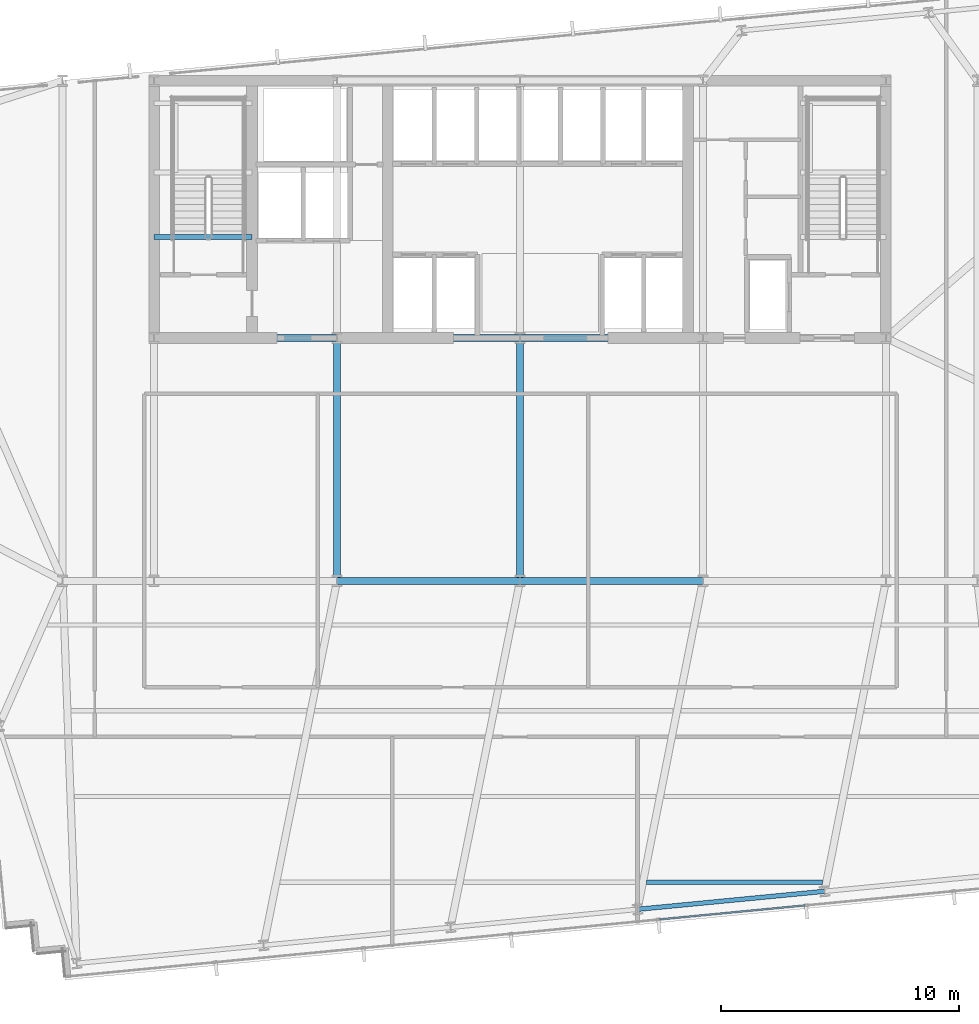
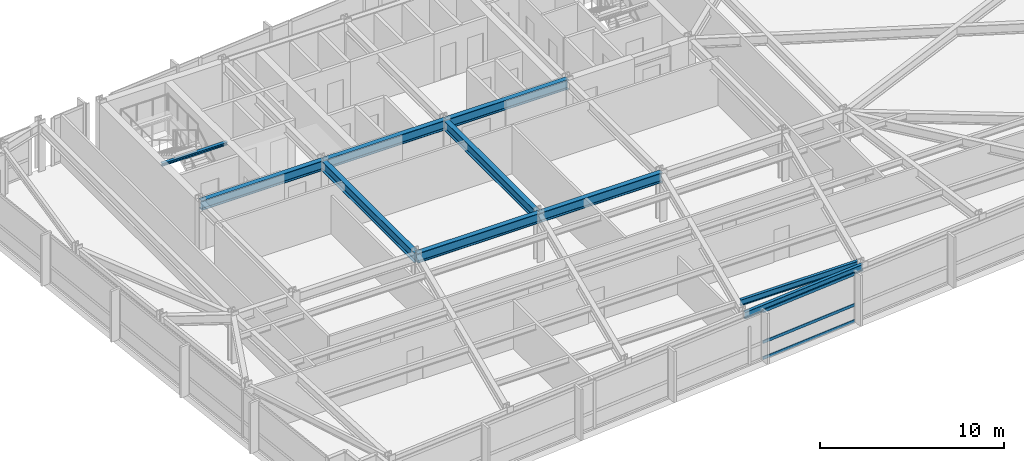
# One storey, part 10 of 33: 10 beams, 3 members, 1 element without a shape of its own.
"""IFC4 building model written with IfcOpenShell, lengths in metres."""

from ifc_helpers import new_model, si_unit, direction, frame, origin, origin_2d, place, context, subcontext, project, spatial, hollow_rectangle, i_section, extrude, material, material_profile, profile_set, type_object, element, aggregate, save


model = new_model("IFC4")

# Units and contexts
model_context = context("Model", 3, precision=1e-05, world=origin(), true_north=direction((0.0, 1.0)))
body_context = subcontext(model_context, "Body", "Model", "MODEL_VIEW")
ifc_project = project(units=[si_unit("LENGTHUNIT", "METRE"), si_unit("AREAUNIT", "SQUARE_METRE"), si_unit("VOLUMEUNIT", "CUBIC_METRE"), si_unit("PLANEANGLEUNIT", "RADIAN"), si_unit("MASSUNIT", "GRAM", prefix="KILO")], contexts=[model_context])

# Site, building, storey
site_placement = place(None, origin())
site = spatial("IfcSite", under=ifc_project, at=site_placement, CompositionType="ELEMENT")
building_placement = place(site_placement, origin())
building = spatial("IfcBuilding", under=site, at=building_placement, Name="Yelkora Congress Tower", CompositionType="ELEMENT")
storey_placement = place(building_placement, frame((0.0, 0.0, 89.699951171875)))
storey = spatial("IfcBuildingStorey", under=building, at=storey_placement, Name="L23", CompositionType="ELEMENT", Elevation=89.699951171875)

# Beams
ifc_material_1 = material(Name="Steel S355J2", Category="steel")
ifc_material_profile_1 = material_profile(ifc_material_1, i_section(OverallWidth=0.300048828125, OverallDepth=0.64990234375, WebThickness=0.01611328125, FlangeThickness=0.031005859375, FilletRadius=0.027099609375, at=origin_2d()), Name="HEB 650")
ifc_profile_set_1 = profile_set([ifc_material_profile_1], Name="Steel S355J2")
beam_type_1 = type_object("IfcBeamType", Name="BM-GIRD-HEB650", PredefinedType="BEAM", material=ifc_profile_set_1)
beam_1_placement = place(storey_placement, frame((30.719970703125, 25.199951171875, 2.85498046875), z_axis=(1.0, 0.0, 0.0), x_axis=(0.0, 1.0, 0.0)))
element("IfcBeam", 1, at=beam_1_placement, inside=storey, type_object=beam_type_1, Name="L23 Spine Grid D Girder 3", PredefinedType="BEAM", context=body_context, shape_type="SweptSolid", body=[
    extrude(i_section(OverallWidth=0.300048828125, OverallDepth=0.64990234375, WebThickness=0.01611328125, FlangeThickness=0.031005859375, FilletRadius=0.027099609375, at=origin_2d()), origin(), (0.0, 0.0, 1.0), 7.679931640625),
])
beam_2_placement = place(storey_placement, frame((38.39990234375, 25.199951171875, 2.85498046875), z_axis=(1.0, 0.0, 0.0), x_axis=(0.0, 1.0, 0.0)))
element("IfcBeam", 2, at=beam_2_placement, inside=storey, type_object=beam_type_1, Name="L23 Spine Grid D Girder 4", PredefinedType="BEAM", context=body_context, shape_type="SweptSolid", body=[
    extrude(i_section(OverallWidth=0.300048828125, OverallDepth=0.64990234375, WebThickness=0.01611328125, FlangeThickness=0.031005859375, FilletRadius=0.027099609375, at=origin_2d()), origin(), (0.0, 0.0, 1.0), 7.68017578125),
])
for number, where, z_axis, x_axis, name in (
    (3, (23.0400390625, 35.39990234375, 2.85498046875), (1.0, 0.0, 0.0), (0.0, 1.0, 0.0), "L23 Core South Girder 1"),
    (4, (30.719970703125, 35.39990234375, 2.85498046875), (1.0, 0.0, 0.0), (0.0, 1.0, 0.0), "L23 Core South Girder 2"),
):
    element("IfcBeam", number, at=place(storey_placement, frame(where, z_axis=z_axis, x_axis=x_axis)), inside=storey, type_object=beam_type_1, Name=name, PredefinedType="BEAM", context=body_context, shape_type="SweptSolid", body=[
        extrude(i_section(OverallWidth=0.300048828125, OverallDepth=0.64990234375, WebThickness=0.01611328125, FlangeThickness=0.031005859375, FilletRadius=0.027099609375, at=origin_2d()), origin(), (0.0, 0.0, 1.0), 7.679931640625),
    ])
beam_3_placement = place(storey_placement, frame((38.39990234375, 35.39990234375, 2.85498046875), z_axis=(1.0, 0.0, 0.0), x_axis=(0.0, 1.0, 0.0)))
element("IfcBeam", 5, at=beam_3_placement, inside=storey, type_object=beam_type_1, Name="L23 Core South Girder 3", PredefinedType="BEAM", context=body_context, shape_type="SweptSolid", body=[
    extrude(i_section(OverallWidth=0.300048828125, OverallDepth=0.64990234375, WebThickness=0.01611328125, FlangeThickness=0.031005859375, FilletRadius=0.027099609375, at=origin_2d()), origin(), (0.0, 0.0, 1.0), 7.68017578125),
])
for number, where, z_axis, x_axis, name in (
    (6, (30.719970703125, 25.199951171875, 2.85498046875), (0.0, 1.0, 0.0), (-1.0, 0.0, 0.0), "L23 Core Tie Girder MC-D2"),
    (7, (38.39990234375, 25.199951171875, 2.85498046875), (0.0, 1.0, 0.0), (-1.0, 0.0, 0.0), "L23 Core Tie Girder MC-D3"),
):
    element("IfcBeam", number, at=place(storey_placement, frame(where, z_axis=z_axis, x_axis=x_axis)), inside=storey, type_object=beam_type_1, Name=name, PredefinedType="BEAM", context=body_context, shape_type="SweptSolid", body=[
        extrude(i_section(OverallWidth=0.300048828125, OverallDepth=0.64990234375, WebThickness=0.01611328125, FlangeThickness=0.031005859375, FilletRadius=0.027099609375, at=origin_2d()), origin(), (0.0, 0.0, 1.0), 10.199951171875),
    ])
ifc_material_profile_2 = material_profile(ifc_material_1, i_section(OverallWidth=0.179931640625, OverallDepth=0.39990234375, WebThickness=0.008544921875, FlangeThickness=0.013427734375, FilletRadius=0.02099609375, at=origin_2d()), Name="IPE 400")
ifc_profile_set_2 = profile_set([ifc_material_profile_2], Name="Steel S355J2")
beam_type_2 = type_object("IfcBeamType", Name="BM-JOIST-IPE400", PredefinedType="JOIST", material=ifc_profile_set_2)
beam_4_placement = place(storey_placement, frame((43.7197265625, 12.54443359375, 2.97998046875), z_axis=(1.0, 0.0, 0.0), x_axis=(0.0, 1.0, 0.0)))
element("IfcBeam", 8, at=beam_4_placement, inside=storey, type_object=beam_type_2, Name="L23 Composite Floor Joist 3", PredefinedType="JOIST", context=body_context, shape_type="SweptSolid", body=[
    extrude(i_section(OverallWidth=0.179931640625, OverallDepth=0.39990234375, WebThickness=0.008544921875, FlangeThickness=0.013427734375, FilletRadius=0.02099609375, at=origin_2d()), origin(), (0.0, 0.0, 1.0), 7.37841796875),
])
ifc_material_profile_3 = material_profile(ifc_material_1, i_section(OverallWidth=0.199951171875, OverallDepth=0.18994140625, WebThickness=0.006591796875, FlangeThickness=0.010009765625, FilletRadius=0.01806640625, at=origin_2d()), Name="HEA 200")
ifc_profile_set_3 = profile_set([ifc_material_profile_3], Name="Steel S355J2")
beam_type_3 = type_object("IfcBeamType", Name="BM-LAND-HEA200", PredefinedType="BEAM", material=ifc_profile_set_3)
beam_5_placement = place(storey_placement, frame((23.0400390625, 39.639892578125, 2.947509765625), z_axis=(1.0, 0.0, 0.0), x_axis=(0.0, 1.0, 0.0)))
element("IfcBeam", 9, at=beam_5_placement, inside=storey, type_object=beam_type_3, Name="ST-01 L23 Floor Arrival Stringer Header Beam", PredefinedType="BEAM", context=body_context, shape_type="SweptSolid", body=[
    extrude(i_section(OverallWidth=0.199951171875, OverallDepth=0.18994140625, WebThickness=0.006591796875, FlangeThickness=0.010009765625, FilletRadius=0.01806640625, at=origin_2d()), origin(), (0.0, 0.0, 1.0), 4.10986328125),
])
ifc_material_profile_4 = material_profile(ifc_material_1, i_section(OverallWidth=0.18994140625, OverallDepth=0.449951171875, WebThickness=0.009521484375, FlangeThickness=0.0146484375, FilletRadius=0.02099609375, at=origin_2d()), Name="IPE 450")
ifc_profile_set_4 = profile_set([ifc_material_profile_4], Name="Steel S355J2")
beam_type_4 = type_object("IfcBeamType", Name="BM-SPAN-IPE450", PredefinedType="SPANDREL", material=ifc_profile_set_4)
beam_6_placement = place(storey_placement, frame((43.334228515625, 11.411865234375, 2.955078125), z_axis=(0.995398529126, 0.09582154358, 0.0), x_axis=(-0.09582154358, 0.995398529126, 0.0)))
element("IfcBeam", 10, at=beam_6_placement, inside=storey, type_object=beam_type_4, Name="L23 Perimeter Beam 6", PredefinedType="SPANDREL", context=body_context, shape_type="SweptSolid", body=[
    extrude(i_section(OverallWidth=0.18994140625, OverallDepth=0.449951171875, WebThickness=0.009521484375, FlangeThickness=0.0146484375, FilletRadius=0.02099609375, at=origin_2d()), origin(), (0.0, 0.0, 1.0), 7.8857421875),
])

# Curtain wall, members
ifc_material_2 = material(Name="Anodised aluminium and insulated glass", Category="aluminium")
curtain_wall_type = type_object("IfcCurtainWallType", Name="CW-SYS-SKY", PredefinedType="NOTDEFINED", material=ifc_material_2)
curtain_wall_placement = place(storey_placement, origin())
curtain_wall = element("IfcCurtainWall", 11, at=curtain_wall_placement, inside=storey, type_object=curtain_wall_type, Name="L23 Unitised Curtain Wall 20", PredefinedType="NOTDEFINED")
ifc_material_3 = material(Name="Anodised aluminium 6063-T6", Category="aluminium")
ifc_material_profile_5 = material_profile(ifc_material_3, hollow_rectangle(XDim=0.070068359375, YDim=0.18994140625, WallThickness=0.00390625, at=origin_2d()), Name="ALU 70x190x4")
ifc_profile_set_5 = profile_set([ifc_material_profile_5], Name="Anodised aluminium 6063-T6")
member_type = type_object("IfcMemberType", Name="MEM-TR-SKY", PredefinedType="USERDEFINED", material=ifc_profile_set_5)
member_1_placement = place(storey_placement, frame((50.368408203125, 11.576904296875, 0.03515625), z_axis=(-0.995393377375, -0.095875045123, 0.0), x_axis=(0.095875045123, -0.995393377375, 0.0)))
member_1 = element("IfcMember", 12, at=member_1_placement, type_object=member_type, Name="CW-SKY transom 5.1", ObjectType="TRANSOM", PredefinedType="USERDEFINED", context=body_context, shape_type="SweptSolid", body=[
    extrude(hollow_rectangle(XDim=0.070068359375, YDim=0.18994140625, WallThickness=0.00390625, at=origin_2d()), origin(), (0.0, 0.0, 1.0), 6.149658203125),
])
member_2_placement = place(storey_placement, frame((50.368408203125, 11.576904296875, 1.10009765625), z_axis=(-0.995393377375, -0.095875045123, 0.0), x_axis=(0.095875045123, -0.995393377375, 0.0)))
member_2 = element("IfcMember", 13, at=member_2_placement, type_object=member_type, Name="CW-SKY transom 5.2", ObjectType="TRANSOM", PredefinedType="USERDEFINED", context=body_context, shape_type="SweptSolid", body=[
    extrude(hollow_rectangle(XDim=0.070068359375, YDim=0.18994140625, WallThickness=0.00390625, at=origin_2d()), origin(), (0.0, 0.0, 1.0), 6.149658203125),
])
member_3_placement = place(storey_placement, frame((50.368408203125, 11.576904296875, 3.14501953125), z_axis=(-0.995393377375, -0.095875045123, 0.0), x_axis=(0.095875045123, -0.995393377375, 0.0)))
member_3 = element("IfcMember", 14, at=member_3_placement, type_object=member_type, Name="CW-SKY transom 5.3", ObjectType="TRANSOM", PredefinedType="USERDEFINED", context=body_context, shape_type="SweptSolid", body=[
    extrude(hollow_rectangle(XDim=0.070068359375, YDim=0.18994140625, WallThickness=0.00390625, at=origin_2d()), origin(), (0.0, 0.0, 1.0), 6.149658203125),
])
aggregate(curtain_wall, [member_1, member_2, member_3])

save(model, "model.ifc")
